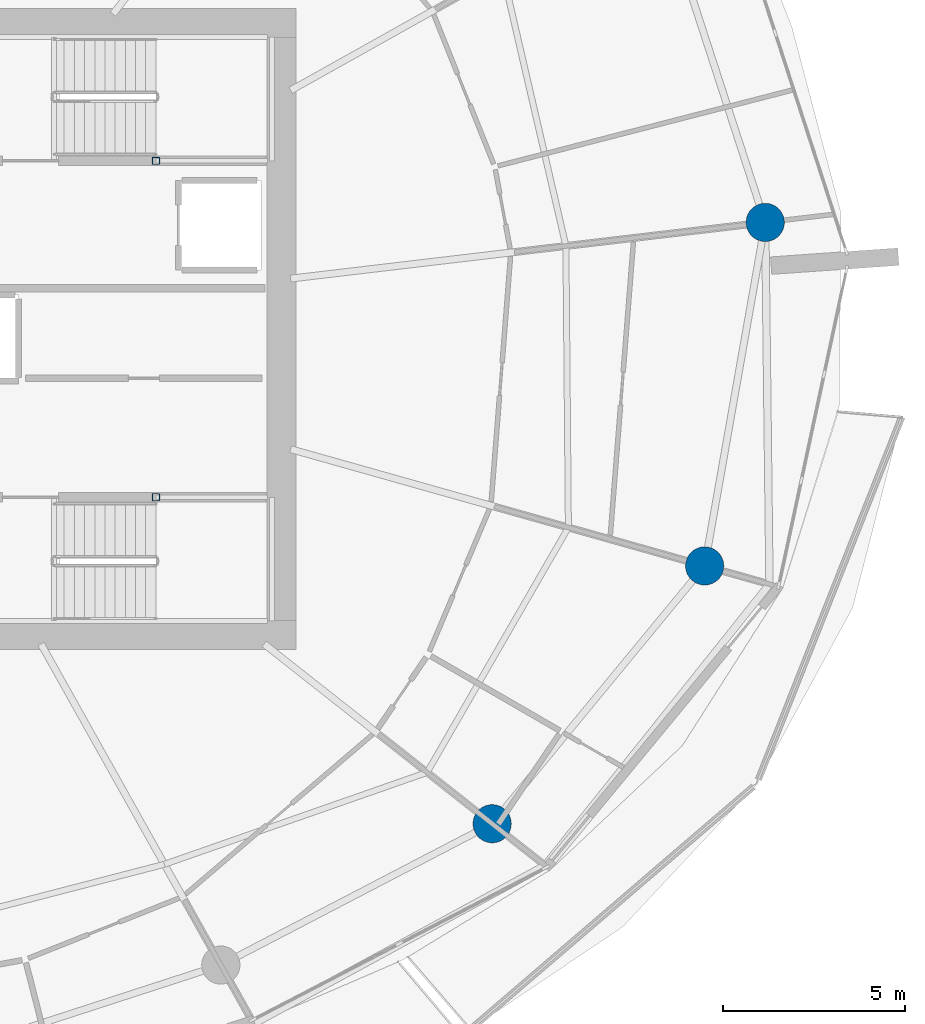
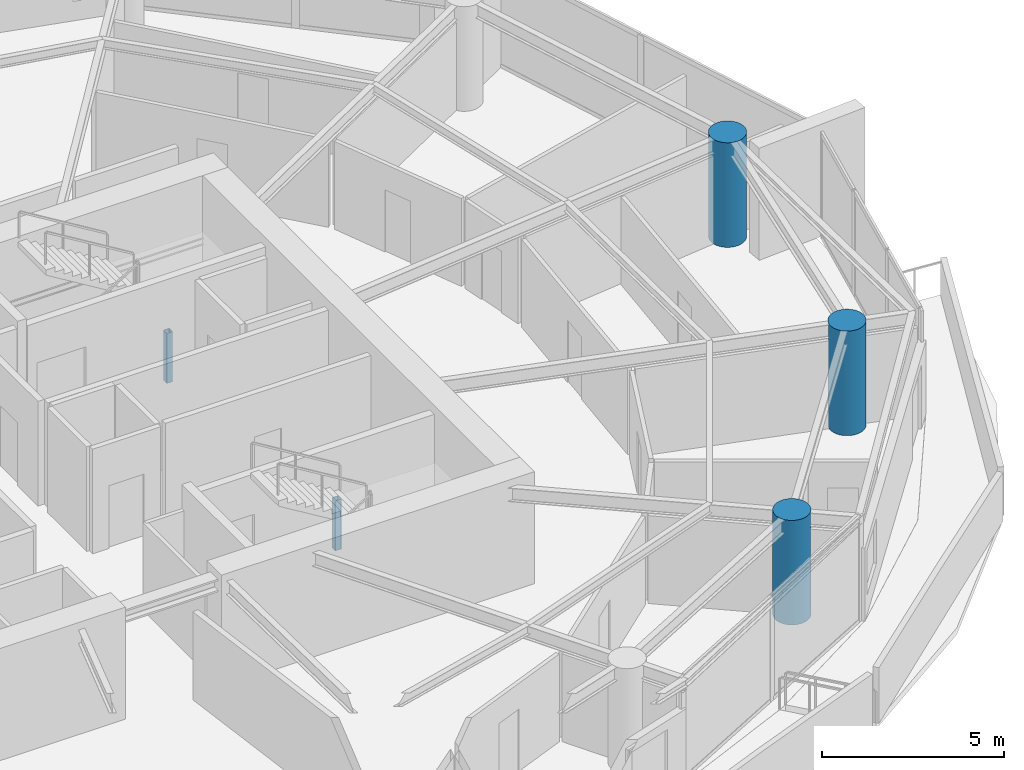
# One storey, part 3 of 20: 5 columns.
"""IFC4 building model written with IfcOpenShell, lengths in metres."""

from ifc_helpers import new_model, si_unit, direction, frame, origin, origin_2d, place, context, subcontext, project, spatial, hollow_rectangle, circle, extrude, material, material_profile, profile_set, type_object, element, save


model = new_model("IFC4")

# Units and contexts
model_context = context("Model", 3, precision=1e-05, world=origin(), true_north=direction((0.0, 1.0)))
body_context = subcontext(model_context, "Body", "Model", "MODEL_VIEW")
ifc_project = project(units=[si_unit("LENGTHUNIT", "METRE"), si_unit("AREAUNIT", "SQUARE_METRE"), si_unit("VOLUMEUNIT", "CUBIC_METRE"), si_unit("PLANEANGLEUNIT", "RADIAN"), si_unit("MASSUNIT", "GRAM", prefix="KILO")], contexts=[model_context])

# Site, building, storey
site_placement = place(None, origin())
site = spatial("IfcSite", under=ifc_project, at=site_placement, CompositionType="ELEMENT")
building_placement = place(site_placement, origin())
building = spatial("IfcBuilding", under=site, at=building_placement, Name="Kazma Halo Residences", CompositionType="ELEMENT")
storey_placement = place(building_placement, frame((0.0, 0.0, 161.550048828125)))
storey = spatial("IfcBuildingStorey", under=building, at=storey_placement, Name="L40", CompositionType="ELEMENT", Elevation=161.550048828125)

# Columns
ifc_material_1 = material(Name="Steel S355", Category="steel")
ifc_material_profile_1 = material_profile(ifc_material_1, hollow_rectangle(XDim=0.199951171875, YDim=0.199951171875, WallThickness=0.010009765625, InnerFilletRadius=0.010009765625, OuterFilletRadius=0.02001953125, at=origin_2d()), Name="SHS200x200x10")
ifc_profile_set_1 = profile_set([ifc_material_profile_1], Name="Steel S355")
column_type_1 = type_object("IfcColumnType", Name="COL-LP-SHS200", PredefinedType="COLUMN", material=ifc_profile_set_1)
for number, where, z_axis, x_axis, name in (
    (1, (56.0, 46.6201171875, 0.0), (0.0, 0.0, 1.0), (1.0, 0.0, 0.0), "L40 ST-02 landing pilaster 1"),
    (2, (56.0, 37.3798828125, 0.0), (0.0, 0.0, 1.0), (1.0, 0.0, 0.0), "L40 ST-03 landing pilaster 1"),
):
    element("IfcColumn", number, at=place(storey_placement, frame(where, z_axis=z_axis, x_axis=x_axis)), inside=storey, type_object=column_type_1, Name=name, PredefinedType="COLUMN", context=body_context, shape_type="SweptSolid", body=[
        extrude(hollow_rectangle(XDim=0.199951171875, YDim=0.199951171875, WallThickness=0.010009765625, InnerFilletRadius=0.010009765625, OuterFilletRadius=0.02001953125, at=origin_2d()), origin(), (0.0, 0.0, 1.0), 1.669921875),
    ])
ifc_material_2 = material(Name="Concrete C80/95", Category="concrete")
ifc_material_profile_2 = material_profile(ifc_material_2, circle(Radius=0.52490234375, at=origin_2d()), Name="CIRC1050")
ifc_profile_set_2 = profile_set([ifc_material_profile_2], Name="Concrete C80/95")
column_type_2 = type_object("IfcColumnType", Name="COL-PERIM-1050", PredefinedType="COLUMN", material=ifc_profile_set_2)
for number, where, z_axis, x_axis, name in (
    (3, (65.234375, 28.41357421875, 0.0), (0.0, 0.0, 1.0), (1.0, 0.0, 0.0), "L40 perimeter ring column P14"),
    (4, (71.06982421875, 35.49365234375, 0.0), (0.0, 0.0, 1.0), (1.0, 0.0, 0.0), "L40 perimeter ring column P15"),
    (5, (72.733154296875, 44.927490234375, 0.0), (0.0, 0.0, 1.0), (1.0, 0.0, 0.0), "L40 perimeter ring column P16"),
):
    element("IfcColumn", number, at=place(storey_placement, frame(where, z_axis=z_axis, x_axis=x_axis)), inside=storey, type_object=column_type_2, Name=name, PredefinedType="COLUMN", context=body_context, shape_type="SweptSolid", body=[
        extrude(circle(Radius=0.52490234375, at=origin_2d()), origin(), (0.0, 0.0, 1.0), 3.5),
    ])

save(model, "model.ifc")
